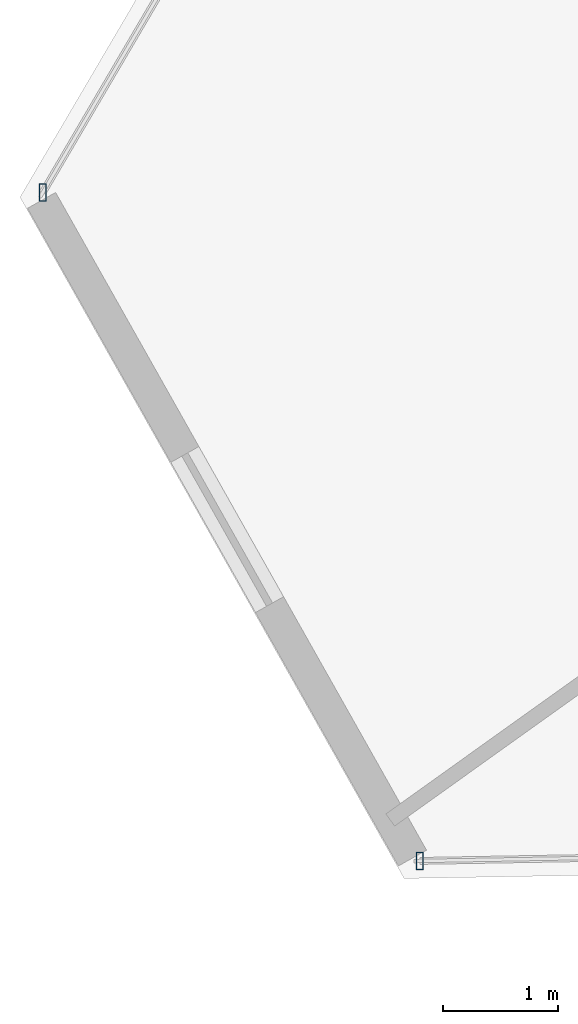
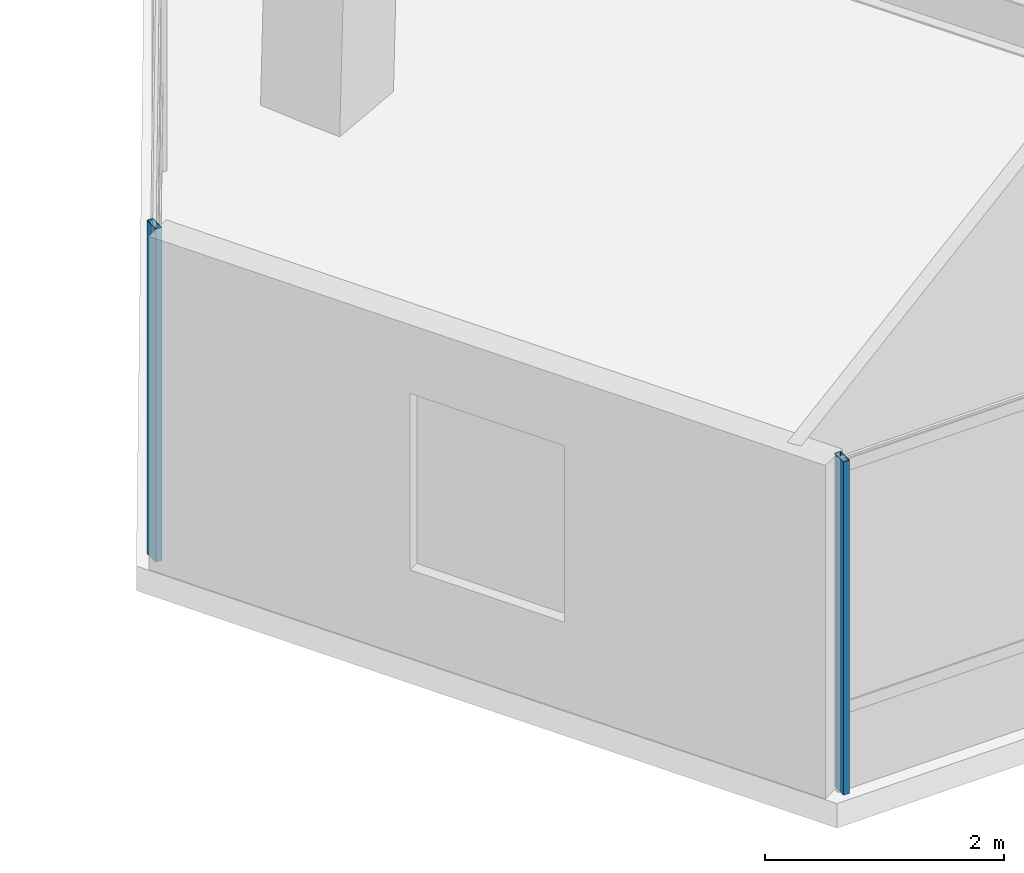
# One storey, part 3 of 42: 2 members, 2 elements without a shape of their own.
"""IFC4 building model written with IfcOpenShell, lengths in metres."""

from ifc_helpers import new_model, si_unit, direction, frame, origin, origin_2d, place, context, subcontext, project, spatial, hollow_rectangle, extrude, source, transform, mapped, material, material_profile, profile_set, type_object, type_shapes, element, aggregate, save


model = new_model("IFC4")

# Units and contexts
model_context = context("Model", 3, precision=1e-05, world=origin(), true_north=direction((0.0, 1.0)))
body_context = subcontext(model_context, "Body", "Model", "MODEL_VIEW")
ifc_project = project(units=[si_unit("LENGTHUNIT", "METRE"), si_unit("AREAUNIT", "SQUARE_METRE"), si_unit("VOLUMEUNIT", "CUBIC_METRE"), si_unit("PLANEANGLEUNIT", "RADIAN"), si_unit("MASSUNIT", "GRAM", prefix="KILO")], contexts=[model_context])

# Site, building, storey
site_placement = place(None, origin())
site = spatial("IfcSite", under=ifc_project, at=site_placement, CompositionType="ELEMENT")
building_placement = place(site_placement, origin())
building = spatial("IfcBuilding", under=site, at=building_placement, Name="Caelisora Broadcast Tower", CompositionType="ELEMENT")
storey_placement = place(building_placement, frame((0.0, 0.0, 187.699951171875)))
storey = spatial("IfcBuildingStorey", under=building, at=storey_placement, Name="L49", CompositionType="ELEMENT", Elevation=187.699951171875)

# Curtain wall, member
ifc_material_1 = material(Name="Unitised Aluminium and Low-E Glass Curtain Wall", Category="glass")
curtain_wall_type = type_object("IfcCurtainWallType", Name="CW-Z4", PredefinedType="NOTDEFINED", material=ifc_material_1)
curtain_wall_1_placement = place(storey_placement, origin())
curtain_wall_1 = element("IfcCurtainWall", 1, at=curtain_wall_1_placement, inside=storey, type_object=curtain_wall_type, Name="L49 curtain wall CW-Z4", PredefinedType="NOTDEFINED")
ifc_material_2 = material(Name="Aluminium 6063-T6 Anodised Terracotta Bronze", Category="aluminium")
ifc_material_profile = material_profile(ifc_material_2, hollow_rectangle(XDim=0.06005859375, YDim=0.14990234375, WallThickness=0.00341796875, at=origin_2d()), Name="Aluminium 6063-T6 Anodised Terracotta Bronze")
ifc_profile_set = profile_set([ifc_material_profile], Name="Aluminium 6063-T6 Anodised Terracotta Bronze")
member_type = type_object("IfcMemberType", Name="CWM-03", PredefinedType="MULLION", material=ifc_profile_set)
shared_shape = source(origin(), body_context, "Body", "SweptSolid", [
    extrude(hollow_rectangle(XDim=0.06005859375, YDim=0.14990234375, WallThickness=0.00341796875, at=origin_2d()), origin(), (0.0, 0.0, 1.0), 3.400146484375),
])
type_shapes(member_type, [shared_shape])
member_1_placement = place(storey_placement, frame((14.4169921875, 6.600830078125, 0.0), z_axis=(0.0, 0.0, 1.0), x_axis=(1.0, 0.0, 0.0)))
member_1 = element("IfcMember", 2, at=member_1_placement, type_object=member_type, Name="L49-CW-B07 mullion #3", PredefinedType="MULLION", context=body_context, shape_type="MappedRepresentation", body=[
    mapped(shared_shape, transform((0.0, 0.0, 0.0), scale=1.0)),
])
aggregate(curtain_wall_1, [member_1])

curtain_wall_2_placement = place(storey_placement, origin())
curtain_wall_2 = element("IfcCurtainWall", 3, at=curtain_wall_2_placement, inside=storey, type_object=curtain_wall_type, Name="L49 curtain wall CW-Z4", PredefinedType="NOTDEFINED")
member_2_placement = place(storey_placement, frame((11.13720703125, 12.4150390625, 0.0), z_axis=(0.0, 0.0, 1.0), x_axis=(1.0, 0.0, 0.0)))
member_2 = element("IfcMember", 4, at=member_2_placement, type_object=member_type, Name="L49-CW-B09 mullion #0", PredefinedType="MULLION", context=body_context, shape_type="MappedRepresentation", body=[
    mapped(shared_shape, transform((0.0, 0.0, 0.0), scale=1.0)),
])
aggregate(curtain_wall_2, [member_2])

save(model, "model.ifc")
